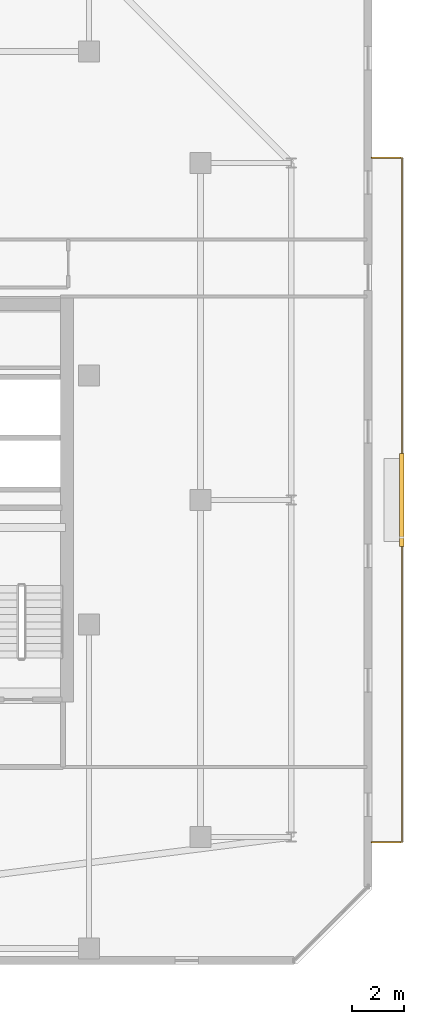
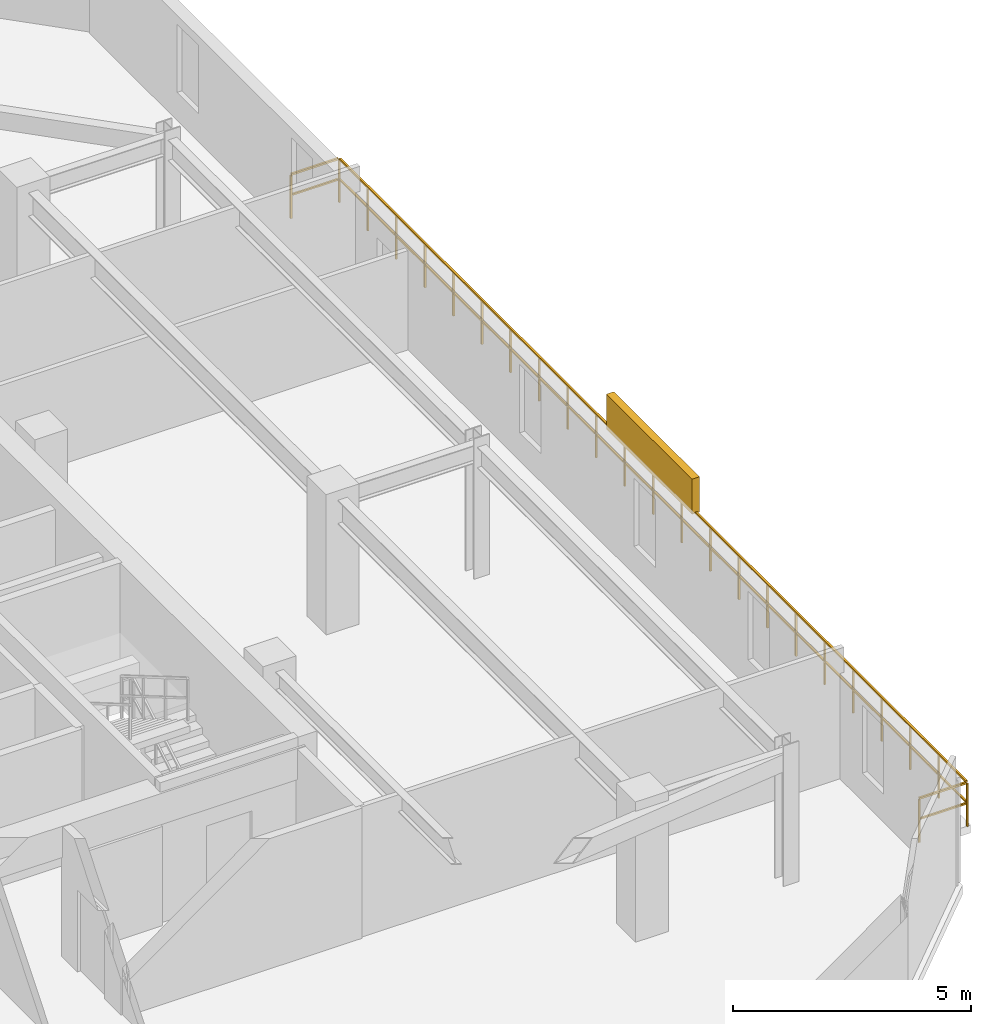
# One storey, part 35 of 35: 1 railing, 1 shading device.
"""IFC4 building model written with IfcOpenShell, lengths in metres."""

from ifc_helpers import new_model, si_unit, direction, frame, origin, origin_2d, place, context, subcontext, project, spatial, rectangle, extrude, material, type_object, element, save


model = new_model("IFC4")

# Units and contexts
model_context = context("Model", 3, precision=1e-05, world=origin(), true_north=direction((0.0, 1.0)))
body_context = subcontext(model_context, "Body", "Model", "MODEL_VIEW")
ifc_project = project(units=[si_unit("LENGTHUNIT", "METRE"), si_unit("AREAUNIT", "SQUARE_METRE"), si_unit("VOLUMEUNIT", "CUBIC_METRE"), si_unit("PLANEANGLEUNIT", "RADIAN"), si_unit("MASSUNIT", "GRAM", prefix="KILO")], contexts=[model_context])

# Site, building, storey
site_placement = place(None, origin())
site = spatial("IfcSite", under=ifc_project, at=site_placement, CompositionType="ELEMENT")
building_placement = place(site_placement, origin())
building = spatial("IfcBuilding", under=site, at=building_placement, Name="Thornwick Lancets Civic Towers", CompositionType="ELEMENT")
storey_placement = place(building_placement, frame((0.0, 0.0, 272.699951171875)))
storey = spatial("IfcBuildingStorey", under=building, at=storey_placement, Name="L73", CompositionType="ELEMENT", Elevation=272.699951171875)

# Railing
ifc_material_1 = material(Name="Terracotta-capped laminated glass balustrade S355", Category="masonry")
railing_type = type_object("IfcRailingType", Name="RAIL_TERR_GUARD", PredefinedType="GUARDRAIL", material=ifc_material_1)
railing_placement = place(storey_placement, frame((112.39990234375, 13.800048828125, 0.0)))
element("IfcRailing", 1, at=railing_placement, inside=storey, type_object=railing_type, Name="L73 Tower B Balcony Guard E", PredefinedType="GUARDRAIL", context=body_context, shape_type="SweptSolid", body=[
    extrude(rectangle(XDim=0.048095703125, YDim=0.048095703125, at=origin_2d()), frame((0.0, 0.0, 1.1259765625), z_axis=(1.0, 0.0, 0.0), x_axis=(0.0, 1.0, 0.0)), (0.0, 0.0, 1.0), 1.138916015625),
    extrude(rectangle(XDim=0.0419921875, YDim=0.0419921875, at=origin_2d()), frame((0.03759765625, 0.0, 0.597900390625), z_axis=(1.0, 0.0, 0.0), x_axis=(0.0, 1.0, 0.0)), (0.0, 0.0, 1.0), 1.09521484375),
    extrude(rectangle(XDim=0.048095703125, YDim=0.048095703125, at=origin_2d()), frame((1.170166015625, 0.03125, 1.1259765625), z_axis=(0.0, 1.0, 0.0), x_axis=(-1.0, 0.0, 0.0)), (0.0, 0.0, 1.0), 26.33740234375),
    extrude(rectangle(XDim=0.0419921875, YDim=0.0419921875, at=origin_2d()), frame((1.170166015625, 0.03759765625, 0.597900390625), z_axis=(0.0, 1.0, 0.0), x_axis=(-1.0, 0.0, 0.0)), (0.0, 0.0, 1.0), 1.125),
    extrude(rectangle(XDim=0.0419921875, YDim=0.0419921875, at=origin_2d()), frame((1.170166015625, 1.237548828125, 0.597900390625), z_axis=(0.0, 1.0, 0.0), x_axis=(-1.0, 0.0, 0.0)), (0.0, 0.0, 1.0), 1.125),
    extrude(rectangle(XDim=0.0419921875, YDim=0.0419921875, at=origin_2d()), frame((1.170166015625, 2.4375, 0.597900390625), z_axis=(0.0, 1.0, 0.0), x_axis=(-1.0, 0.0, 0.0)), (0.0, 0.0, 1.0), 1.125),
    extrude(rectangle(XDim=0.0419921875, YDim=0.0419921875, at=origin_2d()), frame((1.170166015625, 3.637451171875, 0.597900390625), z_axis=(0.0, 1.0, 0.0), x_axis=(-1.0, 0.0, 0.0)), (0.0, 0.0, 1.0), 1.125),
    extrude(rectangle(XDim=0.0419921875, YDim=0.0419921875, at=origin_2d()), frame((1.170166015625, 4.83740234375, 0.597900390625), z_axis=(0.0, 1.0, 0.0), x_axis=(-1.0, 0.0, 0.0)), (0.0, 0.0, 1.0), 1.125),
    extrude(rectangle(XDim=0.0419921875, YDim=0.0419921875, at=origin_2d()), frame((1.170166015625, 6.037353515625, 0.597900390625), z_axis=(0.0, 1.0, 0.0), x_axis=(-1.0, 0.0, 0.0)), (0.0, 0.0, 1.0), 1.125),
    extrude(rectangle(XDim=0.0419921875, YDim=0.0419921875, at=origin_2d()), frame((1.170166015625, 7.237548828125, 0.597900390625), z_axis=(0.0, 1.0, 0.0), x_axis=(-1.0, 0.0, 0.0)), (0.0, 0.0, 1.0), 1.125),
    extrude(rectangle(XDim=0.0419921875, YDim=0.0419921875, at=origin_2d()), frame((1.170166015625, 8.4375, 0.597900390625), z_axis=(0.0, 1.0, 0.0), x_axis=(-1.0, 0.0, 0.0)), (0.0, 0.0, 1.0), 1.125),
    extrude(rectangle(XDim=0.0419921875, YDim=0.0419921875, at=origin_2d()), frame((1.170166015625, 9.637451171875, 0.597900390625), z_axis=(0.0, 1.0, 0.0), x_axis=(-1.0, 0.0, 0.0)), (0.0, 0.0, 1.0), 1.125),
    extrude(rectangle(XDim=0.0419921875, YDim=0.0419921875, at=origin_2d()), frame((1.170166015625, 10.83740234375, 0.597900390625), z_axis=(0.0, 1.0, 0.0), x_axis=(-1.0, 0.0, 0.0)), (0.0, 0.0, 1.0), 1.125),
    extrude(rectangle(XDim=0.0419921875, YDim=0.0419921875, at=origin_2d()), frame((1.170166015625, 12.037353515625, 0.597900390625), z_axis=(0.0, 1.0, 0.0), x_axis=(-1.0, 0.0, 0.0)), (0.0, 0.0, 1.0), 1.125),
    extrude(rectangle(XDim=0.0419921875, YDim=0.0419921875, at=origin_2d()), frame((1.170166015625, 13.237548828125, 0.597900390625), z_axis=(0.0, 1.0, 0.0), x_axis=(-1.0, 0.0, 0.0)), (0.0, 0.0, 1.0), 1.125),
    extrude(rectangle(XDim=0.0419921875, YDim=0.0419921875, at=origin_2d()), frame((1.170166015625, 14.4375, 0.597900390625), z_axis=(0.0, 1.0, 0.0), x_axis=(-1.0, 0.0, 0.0)), (0.0, 0.0, 1.0), 1.125),
    extrude(rectangle(XDim=0.0419921875, YDim=0.0419921875, at=origin_2d()), frame((1.170166015625, 15.637451171875, 0.597900390625), z_axis=(0.0, 1.0, 0.0), x_axis=(-1.0, 0.0, 0.0)), (0.0, 0.0, 1.0), 1.125),
    extrude(rectangle(XDim=0.0419921875, YDim=0.0419921875, at=origin_2d()), frame((1.170166015625, 16.83740234375, 0.597900390625), z_axis=(0.0, 1.0, 0.0), x_axis=(-1.0, 0.0, 0.0)), (0.0, 0.0, 1.0), 1.125),
    extrude(rectangle(XDim=0.0419921875, YDim=0.0419921875, at=origin_2d()), frame((1.170166015625, 18.037353515625, 0.597900390625), z_axis=(0.0, 1.0, 0.0), x_axis=(-1.0, 0.0, 0.0)), (0.0, 0.0, 1.0), 1.125),
    extrude(rectangle(XDim=0.0419921875, YDim=0.0419921875, at=origin_2d()), frame((1.170166015625, 19.2373046875, 0.597900390625), z_axis=(0.0, 1.0, 0.0), x_axis=(-1.0, 0.0, 0.0)), (0.0, 0.0, 1.0), 1.125),
    extrude(rectangle(XDim=0.0419921875, YDim=0.0419921875, at=origin_2d()), frame((1.170166015625, 20.4375, 0.597900390625), z_axis=(0.0, 1.0, 0.0), x_axis=(-1.0, 0.0, 0.0)), (0.0, 0.0, 1.0), 1.125),
    extrude(rectangle(XDim=0.0419921875, YDim=0.0419921875, at=origin_2d()), frame((1.170166015625, 21.637451171875, 0.597900390625), z_axis=(0.0, 1.0, 0.0), x_axis=(-1.0, 0.0, 0.0)), (0.0, 0.0, 1.0), 1.125),
    extrude(rectangle(XDim=0.0419921875, YDim=0.0419921875, at=origin_2d()), frame((1.170166015625, 22.83740234375, 0.597900390625), z_axis=(0.0, 1.0, 0.0), x_axis=(-1.0, 0.0, 0.0)), (0.0, 0.0, 1.0), 1.125),
    extrude(rectangle(XDim=0.0419921875, YDim=0.0419921875, at=origin_2d()), frame((1.170166015625, 24.037353515625, 0.597900390625), z_axis=(0.0, 1.0, 0.0), x_axis=(-1.0, 0.0, 0.0)), (0.0, 0.0, 1.0), 1.125),
    extrude(rectangle(XDim=0.0419921875, YDim=0.0419921875, at=origin_2d()), frame((1.170166015625, 25.2373046875, 0.597900390625), z_axis=(0.0, 1.0, 0.0), x_axis=(-1.0, 0.0, 0.0)), (0.0, 0.0, 1.0), 1.125),
    extrude(rectangle(XDim=0.048095703125, YDim=0.048095703125, at=origin_2d()), frame((1.138916015625, 26.39990234375, 1.1259765625), z_axis=(-1.0, 0.0, 0.0), x_axis=(0.0, -1.0, 0.0)), (0.0, 0.0, 1.0), 1.138916015625),
    extrude(rectangle(XDim=0.0419921875, YDim=0.0419921875, at=origin_2d()), frame((1.132568359375, 26.39990234375, 0.597900390625), z_axis=(-1.0, 0.0, 0.0), x_axis=(0.0, -1.0, 0.0)), (0.0, 0.0, 1.0), 1.09521484375),
    extrude(rectangle(XDim=0.0419921875, YDim=0.0419921875, at=origin_2d()), origin(), (0.0, 0.0, 1.0), 1.095703125),
    extrude(rectangle(XDim=0.0419921875, YDim=0.0419921875, at=origin_2d()), frame((1.170166015625, 0.0, 0.0)), (0.0, 0.0, 1.0), 1.095703125),
    extrude(rectangle(XDim=0.0419921875, YDim=0.0419921875, at=origin_2d()), frame((1.170166015625, 1.199951171875, 0.0)), (0.0, 0.0, 1.0), 1.095703125),
    extrude(rectangle(XDim=0.0419921875, YDim=0.0419921875, at=origin_2d()), frame((1.170166015625, 2.39990234375, 0.0)), (0.0, 0.0, 1.0), 1.095703125),
    extrude(rectangle(XDim=0.0419921875, YDim=0.0419921875, at=origin_2d()), frame((1.170166015625, 3.60009765625, 0.0)), (0.0, 0.0, 1.0), 1.095703125),
    extrude(rectangle(XDim=0.0419921875, YDim=0.0419921875, at=origin_2d()), frame((1.170166015625, 4.800048828125, 0.0)), (0.0, 0.0, 1.0), 1.095703125),
    extrude(rectangle(XDim=0.0419921875, YDim=0.0419921875, at=origin_2d()), frame((1.170166015625, 6.0, 0.0)), (0.0, 0.0, 1.0), 1.095703125),
    extrude(rectangle(XDim=0.0419921875, YDim=0.0419921875, at=origin_2d()), frame((1.170166015625, 7.199951171875, 0.0)), (0.0, 0.0, 1.0), 1.095703125),
    extrude(rectangle(XDim=0.0419921875, YDim=0.0419921875, at=origin_2d()), frame((1.170166015625, 8.39990234375, 0.0)), (0.0, 0.0, 1.0), 1.095703125),
    extrude(rectangle(XDim=0.0419921875, YDim=0.0419921875, at=origin_2d()), frame((1.170166015625, 9.599853515625, 0.0)), (0.0, 0.0, 1.0), 1.095703125),
    extrude(rectangle(XDim=0.0419921875, YDim=0.0419921875, at=origin_2d()), frame((1.170166015625, 10.800048828125, 0.0)), (0.0, 0.0, 1.0), 1.095703125),
    extrude(rectangle(XDim=0.0419921875, YDim=0.0419921875, at=origin_2d()), frame((1.170166015625, 12.0, 0.0)), (0.0, 0.0, 1.0), 1.095703125),
    extrude(rectangle(XDim=0.0419921875, YDim=0.0419921875, at=origin_2d()), frame((1.170166015625, 13.199951171875, 0.0)), (0.0, 0.0, 1.0), 1.095703125),
    extrude(rectangle(XDim=0.0419921875, YDim=0.0419921875, at=origin_2d()), frame((1.170166015625, 14.39990234375, 0.0)), (0.0, 0.0, 1.0), 1.095703125),
    extrude(rectangle(XDim=0.0419921875, YDim=0.0419921875, at=origin_2d()), frame((1.170166015625, 15.599853515625, 0.0)), (0.0, 0.0, 1.0), 1.095703125),
    extrude(rectangle(XDim=0.0419921875, YDim=0.0419921875, at=origin_2d()), frame((1.170166015625, 16.800048828125, 0.0)), (0.0, 0.0, 1.0), 1.095703125),
    extrude(rectangle(XDim=0.0419921875, YDim=0.0419921875, at=origin_2d()), frame((1.170166015625, 18.0, 0.0)), (0.0, 0.0, 1.0), 1.095703125),
    extrude(rectangle(XDim=0.0419921875, YDim=0.0419921875, at=origin_2d()), frame((1.170166015625, 19.199951171875, 0.0)), (0.0, 0.0, 1.0), 1.095703125),
    extrude(rectangle(XDim=0.0419921875, YDim=0.0419921875, at=origin_2d()), frame((1.170166015625, 20.39990234375, 0.0)), (0.0, 0.0, 1.0), 1.095703125),
    extrude(rectangle(XDim=0.0419921875, YDim=0.0419921875, at=origin_2d()), frame((1.170166015625, 21.599853515625, 0.0)), (0.0, 0.0, 1.0), 1.095703125),
    extrude(rectangle(XDim=0.0419921875, YDim=0.0419921875, at=origin_2d()), frame((1.170166015625, 22.7998046875, 0.0)), (0.0, 0.0, 1.0), 1.095703125),
    extrude(rectangle(XDim=0.0419921875, YDim=0.0419921875, at=origin_2d()), frame((1.170166015625, 24.0, 0.0)), (0.0, 0.0, 1.0), 1.095703125),
    extrude(rectangle(XDim=0.0419921875, YDim=0.0419921875, at=origin_2d()), frame((1.170166015625, 25.199951171875, 0.0)), (0.0, 0.0, 1.0), 1.095703125),
    extrude(rectangle(XDim=0.0419921875, YDim=0.0419921875, at=origin_2d()), frame((1.170166015625, 26.39990234375, 0.0)), (0.0, 0.0, 1.0), 1.095703125),
    extrude(rectangle(XDim=0.0419921875, YDim=0.0419921875, at=origin_2d()), frame((0.0, 26.39990234375, 0.0)), (0.0, 0.0, 1.0), 1.095703125),
])

# Shading device
ifc_material_2 = material(Name="Extruded terracotta baguette solar screen", Category="masonry")
shading_device_type = type_object("IfcShadingDeviceType", Name="SHADE_BAGUETTE", PredefinedType="JALOUSIE", material=ifc_material_2)
shading_device_placement = place(storey_placement, frame((113.56005859375, 27.0, 1.1201171875), z_axis=(0.0, 0.0, 1.0), x_axis=(0.0, 1.0, 0.0)))
element("IfcShadingDevice", 2, at=shading_device_placement, inside=storey, type_object=shading_device_type, Name="L73 Tower B Terracotta Baguette Screen E", PredefinedType="JALOUSIE", context=body_context, shape_type="SweptSolid", body=[
    extrude(rectangle(XDim=3.60009765625, YDim=0.179931640625, at=origin_2d()), origin(), (0.0, 0.0, 1.0), 0.89990234375),
])

save(model, "model.ifc")
